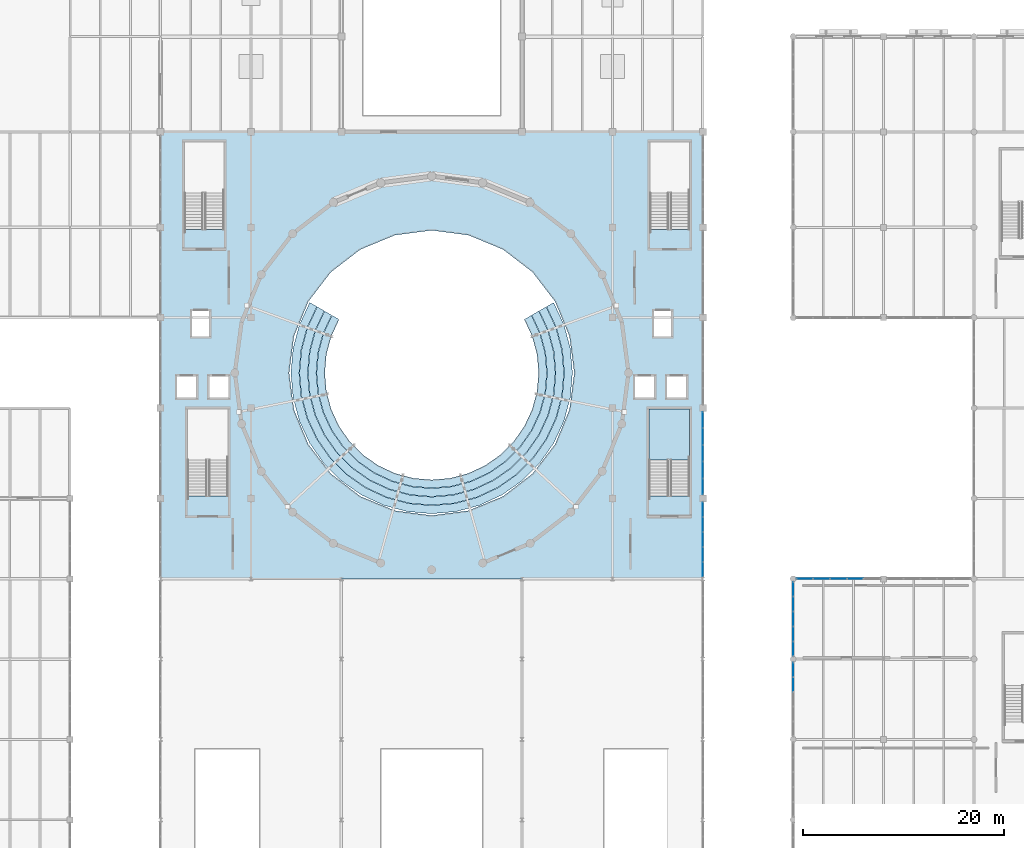
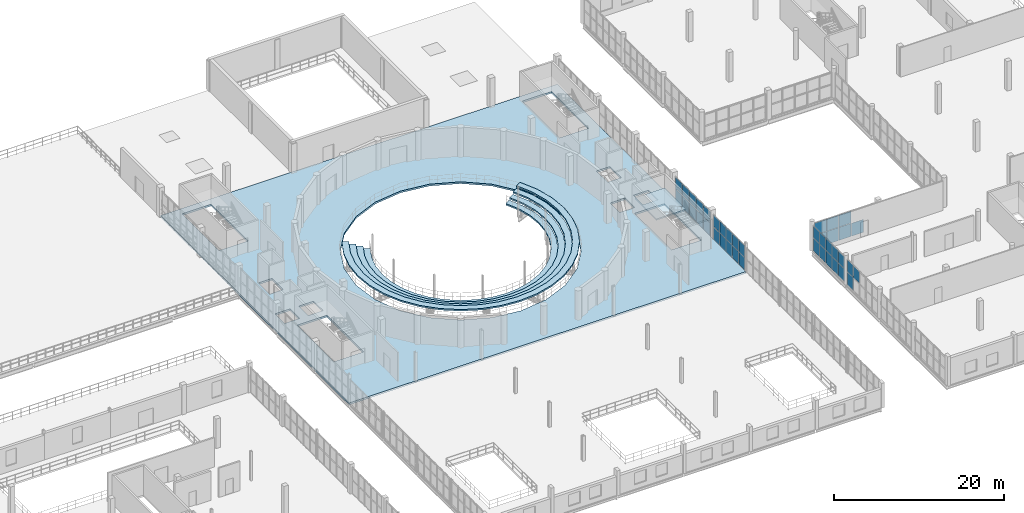
# One storey, part 48 of 73: 40 plates, 6 slabs, 6 elements without a shape of their own.
"""IFC4 building model written with IfcOpenShell, lengths in metres."""

from ifc_helpers import new_model, si_unit, direction, frame, origin, origin_2d, place, context, subcontext, project, spatial, polyline, rectangle, outline, extrude, material, layer, layer_set, type_object, element, aggregate, save


model = new_model("IFC4")

# Units and contexts
model_context = context("Model", 3, precision=1e-05, world=origin(), true_north=direction((0.0, 1.0)))
body_context = subcontext(model_context, "Body", "Model", "MODEL_VIEW")
ifc_project = project(units=[si_unit("LENGTHUNIT", "METRE"), si_unit("AREAUNIT", "SQUARE_METRE"), si_unit("VOLUMEUNIT", "CUBIC_METRE"), si_unit("PLANEANGLEUNIT", "RADIAN"), si_unit("MASSUNIT", "GRAM", prefix="KILO")], contexts=[model_context])

# Site, building, storey
site_placement = place(None, origin())
site = spatial("IfcSite", under=ifc_project, at=site_placement, CompositionType="ELEMENT")
building_placement = place(site_placement, origin())
building = spatial("IfcBuilding", under=site, at=building_placement, Name="Marnock Terrace Opera House", CompositionType="ELEMENT")
storey_placement = place(building_placement, frame((0.0, 0.0, 14.699951171875)))
storey = spatial("IfcBuildingStorey", under=building, at=storey_placement, Name="L03", CompositionType="ELEMENT", Elevation=14.699951171875)

# Curtain wall, plates
ifc_material_1 = material(Name="Anodised architectural bronze aluminium framing", Category="aluminium")
ifc_layer_1 = layer(ifc_material_1, 0.159912109375)
ifc_layer_set_1 = layer_set([ifc_layer_1], Name="Anodised architectural bronze aluminium framing")
curtain_wall_type_1 = type_object("IfcCurtainWallType", Name="CW-FOYER-80x42", PredefinedType="NOTDEFINED", material=ifc_layer_set_1)
curtain_wall_1_placement = place(storey_placement, origin())
curtain_wall_1 = element("IfcCurtainWall", 1, at=curtain_wall_1_placement, inside=storey, type_object=curtain_wall_type_1, Name="L03 glazed Beaux-Arts colonnade curtain wall CW-V1E-L03-05", PredefinedType="NOTDEFINED")
ifc_material_2 = material(Name="Double-glazed acoustic low-E laminated glass", Category="glass")
ifc_layer_2 = layer(ifc_material_2, 0.028076171875)
ifc_layer_set_2 = layer_set([ifc_layer_2], Name="Double-glazed acoustic low-E laminated glass")
plate_type = type_object("IfcPlateType", Name="CWP-GLZ-28", PredefinedType="CURTAIN_PANEL", material=ifc_layer_set_2)
plate_1_placement = place(storey_placement, frame((109.0, 40.934326171875, 0.06005859375), z_axis=(0.0, 0.0, 1.0), x_axis=(0.0, 1.0, 0.0)))
plate_1 = element("IfcPlate", 2, at=plate_1_placement, type_object=plate_type, Name="CW-62 panel 1.1", PredefinedType="CURTAIN_PANEL", context=body_context, shape_type="SweptSolid", body=[
    extrude(rectangle(XDim=1.406494140625, YDim=0.028076171875, at=origin_2d()), origin(), (0.0, 0.0, 1.0), 1.79150390625),
])
plate_2_placement = place(storey_placement, frame((109.0, 40.934326171875, 1.91162109375), z_axis=(0.0, 0.0, 1.0), x_axis=(0.0, 1.0, 0.0)))
plate_2 = element("IfcPlate", 3, at=plate_2_placement, type_object=plate_type, Name="CW-62 panel 1.2", PredefinedType="CURTAIN_PANEL", context=body_context, shape_type="SweptSolid", body=[
    extrude(rectangle(XDim=1.406494140625, YDim=0.028076171875, at=origin_2d()), origin(), (0.0, 0.0, 1.0), 1.646484375),
])
plate_3_placement = place(storey_placement, frame((109.0, 42.416015625, 0.06005859375), z_axis=(0.0, 0.0, 1.0), x_axis=(0.0, 1.0, 0.0)))
plate_3 = element("IfcPlate", 4, at=plate_3_placement, type_object=plate_type, Name="CW-62 panel 2.1", PredefinedType="CURTAIN_PANEL", context=body_context, shape_type="SweptSolid", body=[
    extrude(rectangle(XDim=1.4365234375, YDim=0.028076171875, at=origin_2d()), origin(), (0.0, 0.0, 1.0), 1.79150390625),
])
plate_4_placement = place(storey_placement, frame((109.0, 42.416015625, 1.91162109375), z_axis=(0.0, 0.0, 1.0), x_axis=(0.0, 1.0, 0.0)))
plate_4 = element("IfcPlate", 5, at=plate_4_placement, type_object=plate_type, Name="CW-62 panel 2.2", PredefinedType="CURTAIN_PANEL", context=body_context, shape_type="SweptSolid", body=[
    extrude(rectangle(XDim=1.4365234375, YDim=0.028076171875, at=origin_2d()), origin(), (0.0, 0.0, 1.0), 1.646484375),
])
plate_5_placement = place(storey_placement, frame((109.0, 43.91259765625, 0.06005859375), z_axis=(0.0, 0.0, 1.0), x_axis=(0.0, 1.0, 0.0)))
plate_5 = element("IfcPlate", 6, at=plate_5_placement, type_object=plate_type, Name="CW-62 panel 3.1", PredefinedType="CURTAIN_PANEL", context=body_context, shape_type="SweptSolid", body=[
    extrude(rectangle(XDim=1.4365234375, YDim=0.028076171875, at=origin_2d()), origin(), (0.0, 0.0, 1.0), 1.79150390625),
])
plate_6_placement = place(storey_placement, frame((109.0, 43.91259765625, 1.91162109375), z_axis=(0.0, 0.0, 1.0), x_axis=(0.0, 1.0, 0.0)))
plate_6 = element("IfcPlate", 7, at=plate_6_placement, type_object=plate_type, Name="CW-62 panel 3.2", PredefinedType="CURTAIN_PANEL", context=body_context, shape_type="SweptSolid", body=[
    extrude(rectangle(XDim=1.4365234375, YDim=0.028076171875, at=origin_2d()), origin(), (0.0, 0.0, 1.0), 1.646484375),
])
plate_7_placement = place(storey_placement, frame((109.0, 45.4091796875, 0.06005859375), z_axis=(0.0, 0.0, 1.0), x_axis=(0.0, 1.0, 0.0)))
plate_7 = element("IfcPlate", 8, at=plate_7_placement, type_object=plate_type, Name="CW-62 panel 4.1", PredefinedType="CURTAIN_PANEL", context=body_context, shape_type="SweptSolid", body=[
    extrude(rectangle(XDim=1.4365234375, YDim=0.028076171875, at=origin_2d()), origin(), (0.0, 0.0, 1.0), 1.79150390625),
])
plate_8_placement = place(storey_placement, frame((109.0, 45.4091796875, 1.91162109375), z_axis=(0.0, 0.0, 1.0), x_axis=(0.0, 1.0, 0.0)))
plate_8 = element("IfcPlate", 9, at=plate_8_placement, type_object=plate_type, Name="CW-62 panel 4.2", PredefinedType="CURTAIN_PANEL", context=body_context, shape_type="SweptSolid", body=[
    extrude(rectangle(XDim=1.4365234375, YDim=0.028076171875, at=origin_2d()), origin(), (0.0, 0.0, 1.0), 1.646484375),
])
plate_9_placement = place(storey_placement, frame((109.0, 46.890625, 0.06005859375), z_axis=(0.0, 0.0, 1.0), x_axis=(0.0, 1.0, 0.0)))
plate_9 = element("IfcPlate", 10, at=plate_9_placement, type_object=plate_type, Name="CW-62 panel 5.1", PredefinedType="CURTAIN_PANEL", context=body_context, shape_type="SweptSolid", body=[
    extrude(rectangle(XDim=1.406494140625, YDim=0.028076171875, at=origin_2d()), origin(), (0.0, 0.0, 1.0), 1.79150390625),
])
plate_10_placement = place(storey_placement, frame((109.0, 46.890625, 1.91162109375), z_axis=(0.0, 0.0, 1.0), x_axis=(0.0, 1.0, 0.0)))
plate_10 = element("IfcPlate", 11, at=plate_10_placement, type_object=plate_type, Name="CW-62 panel 5.2", PredefinedType="CURTAIN_PANEL", context=body_context, shape_type="SweptSolid", body=[
    extrude(rectangle(XDim=1.406494140625, YDim=0.028076171875, at=origin_2d()), origin(), (0.0, 0.0, 1.0), 1.646484375),
])
aggregate(curtain_wall_1, [plate_1, plate_2, plate_3, plate_4, plate_5, plate_6, plate_7, plate_8, plate_9, plate_10])

ifc_layer_3 = layer(ifc_material_1, 0.159912109375)
ifc_layer_set_3 = layer_set([ifc_layer_3], Name="Anodised architectural bronze aluminium framing")
curtain_wall_type_2 = type_object("IfcCurtainWallType", Name="CW-FOYER-90x42", PredefinedType="NOTDEFINED", material=ifc_layer_set_3)
curtain_wall_2_placement = place(storey_placement, origin())
curtain_wall_2 = element("IfcCurtainWall", 12, at=curtain_wall_2_placement, inside=storey, type_object=curtain_wall_type_2, Name="L03 glazed Beaux-Arts colonnade curtain wall CW-V1E-L03-06", PredefinedType="NOTDEFINED")
plate_11_placement = place(storey_placement, frame((109.0, 49.19189453125, 0.06005859375), z_axis=(0.0, 0.0, 1.0), x_axis=(0.0, 1.0, 0.0)))
plate_11 = element("IfcPlate", 13, at=plate_11_placement, type_object=plate_type, Name="CW-68 panel 1.1", PredefinedType="CURTAIN_PANEL", context=body_context, shape_type="SweptSolid", body=[
    extrude(rectangle(XDim=1.571533203125, YDim=0.028076171875, at=origin_2d()), origin(), (0.0, 0.0, 1.0), 1.79150390625),
])
plate_12_placement = place(storey_placement, frame((109.0, 49.19189453125, 1.91162109375), z_axis=(0.0, 0.0, 1.0), x_axis=(0.0, 1.0, 0.0)))
plate_12 = element("IfcPlate", 14, at=plate_12_placement, type_object=plate_type, Name="CW-68 panel 1.2", PredefinedType="CURTAIN_PANEL", context=body_context, shape_type="SweptSolid", body=[
    extrude(rectangle(XDim=1.571533203125, YDim=0.028076171875, at=origin_2d()), origin(), (0.0, 0.0, 1.0), 1.646484375),
])
plate_13_placement = place(storey_placement, frame((109.0, 50.83837890625, 0.06005859375), z_axis=(0.0, 0.0, 1.0), x_axis=(0.0, 1.0, 0.0)))
plate_13 = element("IfcPlate", 15, at=plate_13_placement, type_object=plate_type, Name="CW-68 panel 2.1", PredefinedType="CURTAIN_PANEL", context=body_context, shape_type="SweptSolid", body=[
    extrude(rectangle(XDim=1.6015625, YDim=0.028076171875, at=origin_2d()), origin(), (0.0, 0.0, 1.0), 1.79150390625),
])
plate_14_placement = place(storey_placement, frame((109.0, 50.83837890625, 1.91162109375), z_axis=(0.0, 0.0, 1.0), x_axis=(0.0, 1.0, 0.0)))
plate_14 = element("IfcPlate", 16, at=plate_14_placement, type_object=plate_type, Name="CW-68 panel 2.2", PredefinedType="CURTAIN_PANEL", context=body_context, shape_type="SweptSolid", body=[
    extrude(rectangle(XDim=1.6015625, YDim=0.028076171875, at=origin_2d()), origin(), (0.0, 0.0, 1.0), 1.646484375),
])
plate_15_placement = place(storey_placement, frame((109.0, 52.5, 0.06005859375), z_axis=(0.0, 0.0, 1.0), x_axis=(0.0, 1.0, 0.0)))
plate_15 = element("IfcPlate", 17, at=plate_15_placement, type_object=plate_type, Name="CW-68 panel 3.1", PredefinedType="CURTAIN_PANEL", context=body_context, shape_type="SweptSolid", body=[
    extrude(rectangle(XDim=1.6015625, YDim=0.028076171875, at=origin_2d()), origin(), (0.0, 0.0, 1.0), 1.79150390625),
])
plate_16_placement = place(storey_placement, frame((109.0, 52.5, 1.91162109375), z_axis=(0.0, 0.0, 1.0), x_axis=(0.0, 1.0, 0.0)))
plate_16 = element("IfcPlate", 18, at=plate_16_placement, type_object=plate_type, Name="CW-68 panel 3.2", PredefinedType="CURTAIN_PANEL", context=body_context, shape_type="SweptSolid", body=[
    extrude(rectangle(XDim=1.6015625, YDim=0.028076171875, at=origin_2d()), origin(), (0.0, 0.0, 1.0), 1.646484375),
])
plate_17_placement = place(storey_placement, frame((109.0, 54.16162109375, 0.06005859375), z_axis=(0.0, 0.0, 1.0), x_axis=(0.0, 1.0, 0.0)))
plate_17 = element("IfcPlate", 19, at=plate_17_placement, type_object=plate_type, Name="CW-68 panel 4.1", PredefinedType="CURTAIN_PANEL", context=body_context, shape_type="SweptSolid", body=[
    extrude(rectangle(XDim=1.6015625, YDim=0.028076171875, at=origin_2d()), origin(), (0.0, 0.0, 1.0), 1.79150390625),
])
plate_18_placement = place(storey_placement, frame((109.0, 54.16162109375, 1.91162109375), z_axis=(0.0, 0.0, 1.0), x_axis=(0.0, 1.0, 0.0)))
plate_18 = element("IfcPlate", 20, at=plate_18_placement, type_object=plate_type, Name="CW-68 panel 4.2", PredefinedType="CURTAIN_PANEL", context=body_context, shape_type="SweptSolid", body=[
    extrude(rectangle(XDim=1.6015625, YDim=0.028076171875, at=origin_2d()), origin(), (0.0, 0.0, 1.0), 1.646484375),
])
plate_19_placement = place(storey_placement, frame((109.0, 55.80810546875, 0.06005859375), z_axis=(0.0, 0.0, 1.0), x_axis=(0.0, 1.0, 0.0)))
plate_19 = element("IfcPlate", 21, at=plate_19_placement, type_object=plate_type, Name="CW-68 panel 5.1", PredefinedType="CURTAIN_PANEL", context=body_context, shape_type="SweptSolid", body=[
    extrude(rectangle(XDim=1.571533203125, YDim=0.028076171875, at=origin_2d()), origin(), (0.0, 0.0, 1.0), 1.79150390625),
])
plate_20_placement = place(storey_placement, frame((109.0, 55.80810546875, 1.91162109375), z_axis=(0.0, 0.0, 1.0), x_axis=(0.0, 1.0, 0.0)))
plate_20 = element("IfcPlate", 22, at=plate_20_placement, type_object=plate_type, Name="CW-68 panel 5.2", PredefinedType="CURTAIN_PANEL", context=body_context, shape_type="SweptSolid", body=[
    extrude(rectangle(XDim=1.571533203125, YDim=0.028076171875, at=origin_2d()), origin(), (0.0, 0.0, 1.0), 1.646484375),
])
aggregate(curtain_wall_2, [plate_11, plate_12, plate_13, plate_14, plate_15, plate_16, plate_17, plate_18, plate_19, plate_20])

ifc_layer_4 = layer(ifc_material_1, 0.159912109375)
ifc_layer_set_4 = layer_set([ifc_layer_4], Name="Anodised architectural bronze aluminium framing")
curtain_wall_type_3 = type_object("IfcCurtainWallType", Name="CW-LOGGIA-86x42", PredefinedType="NOTDEFINED", material=ifc_layer_set_4)
curtain_wall_3_placement = place(storey_placement, origin())
curtain_wall_3 = element("IfcCurtainWall", 23, at=curtain_wall_3_placement, inside=storey, type_object=curtain_wall_type_3, Name="L03 glazed Beaux-Arts colonnade curtain wall CW-V5-L03-W3", PredefinedType="NOTDEFINED")
plate_21_placement = place(storey_placement, frame((118.0, 29.481689453125, 1.949951171875), z_axis=(0.0, 0.0, 1.0), x_axis=(0.0, 1.0, 0.0)))
plate_21 = element("IfcPlate", 24, at=plate_21_placement, type_object=plate_type, Name="CW-66 panel 4.2", PredefinedType="CURTAIN_PANEL", context=body_context, shape_type="SweptSolid", body=[
    extrude(rectangle(XDim=1.421630859375, YDim=0.028076171875, at=origin_2d()), origin(), (0.0, 0.0, 1.0), 1.68212890625),
])
plate_22_placement = place(storey_placement, frame((118.0, 30.9482421875, 0.06005859375), z_axis=(0.0, 0.0, 1.0), x_axis=(0.0, 1.0, 0.0)))
plate_22 = element("IfcPlate", 25, at=plate_22_placement, type_object=plate_type, Name="CW-66 panel 5.1", PredefinedType="CURTAIN_PANEL", context=body_context, shape_type="SweptSolid", body=[
    extrude(rectangle(XDim=1.3916015625, YDim=0.028076171875, at=origin_2d()), origin(), (0.0, 0.0, 1.0), 1.829833984375),
])
plate_23_placement = place(storey_placement, frame((118.0, 30.9482421875, 1.949951171875), z_axis=(0.0, 0.0, 1.0), x_axis=(0.0, 1.0, 0.0)))
plate_23 = element("IfcPlate", 26, at=plate_23_placement, type_object=plate_type, Name="CW-66 panel 5.2", PredefinedType="CURTAIN_PANEL", context=body_context, shape_type="SweptSolid", body=[
    extrude(rectangle(XDim=1.3916015625, YDim=0.028076171875, at=origin_2d()), origin(), (0.0, 0.0, 1.0), 1.68212890625),
])
aggregate(curtain_wall_3, [plate_21, plate_22, plate_23])

curtain_wall_4_placement = place(storey_placement, origin())
curtain_wall_4 = element("IfcCurtainWall", 27, at=curtain_wall_4_placement, inside=storey, type_object=curtain_wall_type_3, Name="L03 glazed Beaux-Arts colonnade curtain wall CW-V5-L03-W4", PredefinedType="NOTDEFINED")
plate_24_placement = place(storey_placement, frame((118.0, 33.0517578125, 0.06005859375), z_axis=(0.0, 0.0, 1.0), x_axis=(0.0, 1.0, 0.0)))
plate_24 = element("IfcPlate", 28, at=plate_24_placement, type_object=plate_type, Name="CW-66 panel 1.1", PredefinedType="CURTAIN_PANEL", context=body_context, shape_type="SweptSolid", body=[
    extrude(rectangle(XDim=1.3916015625, YDim=0.028076171875, at=origin_2d()), origin(), (0.0, 0.0, 1.0), 1.829833984375),
])
plate_25_placement = place(storey_placement, frame((118.0, 33.0517578125, 1.949951171875), z_axis=(0.0, 0.0, 1.0), x_axis=(0.0, 1.0, 0.0)))
plate_25 = element("IfcPlate", 29, at=plate_25_placement, type_object=plate_type, Name="CW-66 panel 1.2", PredefinedType="CURTAIN_PANEL", context=body_context, shape_type="SweptSolid", body=[
    extrude(rectangle(XDim=1.3916015625, YDim=0.028076171875, at=origin_2d()), origin(), (0.0, 0.0, 1.0), 1.68212890625),
])
plate_26_placement = place(storey_placement, frame((118.0, 34.518310546875, 0.06005859375), z_axis=(0.0, 0.0, 1.0), x_axis=(0.0, 1.0, 0.0)))
plate_26 = element("IfcPlate", 30, at=plate_26_placement, type_object=plate_type, Name="CW-66 panel 2.1", PredefinedType="CURTAIN_PANEL", context=body_context, shape_type="SweptSolid", body=[
    extrude(rectangle(XDim=1.421630859375, YDim=0.028076171875, at=origin_2d()), origin(), (0.0, 0.0, 1.0), 1.829833984375),
])
plate_27_placement = place(storey_placement, frame((118.0, 34.518310546875, 1.949951171875), z_axis=(0.0, 0.0, 1.0), x_axis=(0.0, 1.0, 0.0)))
plate_27 = element("IfcPlate", 31, at=plate_27_placement, type_object=plate_type, Name="CW-66 panel 2.2", PredefinedType="CURTAIN_PANEL", context=body_context, shape_type="SweptSolid", body=[
    extrude(rectangle(XDim=1.421630859375, YDim=0.028076171875, at=origin_2d()), origin(), (0.0, 0.0, 1.0), 1.68212890625),
])
plate_28_placement = place(storey_placement, frame((118.0, 36.0, 0.06005859375), z_axis=(0.0, 0.0, 1.0), x_axis=(0.0, 1.0, 0.0)))
plate_28 = element("IfcPlate", 32, at=plate_28_placement, type_object=plate_type, Name="CW-66 panel 3.1", PredefinedType="CURTAIN_PANEL", context=body_context, shape_type="SweptSolid", body=[
    extrude(rectangle(XDim=1.421630859375, YDim=0.028076171875, at=origin_2d()), origin(), (0.0, 0.0, 1.0), 1.829833984375),
])
plate_29_placement = place(storey_placement, frame((118.0, 36.0, 1.949951171875), z_axis=(0.0, 0.0, 1.0), x_axis=(0.0, 1.0, 0.0)))
plate_29 = element("IfcPlate", 33, at=plate_29_placement, type_object=plate_type, Name="CW-66 panel 3.2", PredefinedType="CURTAIN_PANEL", context=body_context, shape_type="SweptSolid", body=[
    extrude(rectangle(XDim=1.421630859375, YDim=0.028076171875, at=origin_2d()), origin(), (0.0, 0.0, 1.0), 1.68212890625),
])
plate_30_placement = place(storey_placement, frame((118.0, 37.481689453125, 0.06005859375), z_axis=(0.0, 0.0, 1.0), x_axis=(0.0, 1.0, 0.0)))
plate_30 = element("IfcPlate", 34, at=plate_30_placement, type_object=plate_type, Name="CW-66 panel 4.1", PredefinedType="CURTAIN_PANEL", context=body_context, shape_type="SweptSolid", body=[
    extrude(rectangle(XDim=1.421630859375, YDim=0.028076171875, at=origin_2d()), origin(), (0.0, 0.0, 1.0), 1.829833984375),
])
plate_31_placement = place(storey_placement, frame((118.0, 37.481689453125, 1.949951171875), z_axis=(0.0, 0.0, 1.0), x_axis=(0.0, 1.0, 0.0)))
plate_31 = element("IfcPlate", 35, at=plate_31_placement, type_object=plate_type, Name="CW-66 panel 4.2", PredefinedType="CURTAIN_PANEL", context=body_context, shape_type="SweptSolid", body=[
    extrude(rectangle(XDim=1.421630859375, YDim=0.028076171875, at=origin_2d()), origin(), (0.0, 0.0, 1.0), 1.68212890625),
])
plate_32_placement = place(storey_placement, frame((118.0, 38.9482421875, 0.06005859375), z_axis=(0.0, 0.0, 1.0), x_axis=(0.0, 1.0, 0.0)))
plate_32 = element("IfcPlate", 36, at=plate_32_placement, type_object=plate_type, Name="CW-66 panel 5.1", PredefinedType="CURTAIN_PANEL", context=body_context, shape_type="SweptSolid", body=[
    extrude(rectangle(XDim=1.3916015625, YDim=0.028076171875, at=origin_2d()), origin(), (0.0, 0.0, 1.0), 1.829833984375),
])
plate_33_placement = place(storey_placement, frame((118.0, 38.9482421875, 1.949951171875), z_axis=(0.0, 0.0, 1.0), x_axis=(0.0, 1.0, 0.0)))
plate_33 = element("IfcPlate", 37, at=plate_33_placement, type_object=plate_type, Name="CW-66 panel 5.2", PredefinedType="CURTAIN_PANEL", context=body_context, shape_type="SweptSolid", body=[
    extrude(rectangle(XDim=1.3916015625, YDim=0.028076171875, at=origin_2d()), origin(), (0.0, 0.0, 1.0), 1.68212890625),
])
aggregate(curtain_wall_4, [plate_24, plate_25, plate_26, plate_27, plate_28, plate_29, plate_30, plate_31, plate_32, plate_33])

curtain_wall_5_placement = place(storey_placement, origin())
curtain_wall_5 = element("IfcCurtainWall", 38, at=curtain_wall_5_placement, inside=storey, type_object=curtain_wall_type_3, Name="L03 glazed Beaux-Arts colonnade curtain wall CW-V5-L03-CS1", PredefinedType="NOTDEFINED")
plate_34_placement = place(storey_placement, frame((119.15185546875, 40.0, 0.06005859375), z_axis=(0.0, 0.0, 1.0), x_axis=(1.0, 0.0, 0.0)))
plate_34 = element("IfcPlate", 39, at=plate_34_placement, type_object=plate_type, Name="CW-66 panel 1.1", PredefinedType="CURTAIN_PANEL", context=body_context, shape_type="SweptSolid", body=[
    extrude(rectangle(XDim=1.591552734375, YDim=0.028076171875, at=origin_2d()), origin(), (0.0, 0.0, 1.0), 1.864990234375),
])
plate_35_placement = place(storey_placement, frame((119.15185546875, 40.0, 1.98486328125), z_axis=(0.0, 0.0, 1.0), x_axis=(1.0, 0.0, 0.0)))
plate_35 = element("IfcPlate", 40, at=plate_35_placement, type_object=plate_type, Name="CW-66 panel 1.2", PredefinedType="CURTAIN_PANEL", context=body_context, shape_type="SweptSolid", body=[
    extrude(rectangle(XDim=1.591552734375, YDim=0.028076171875, at=origin_2d()), origin(), (0.0, 0.0, 1.0), 1.714599609375),
])
plate_36_placement = place(storey_placement, frame((120.818359375, 40.0, 0.06005859375), z_axis=(0.0, 0.0, 1.0), x_axis=(1.0, 0.0, 0.0)))
plate_36 = element("IfcPlate", 41, at=plate_36_placement, type_object=plate_type, Name="CW-66 panel 2.1", PredefinedType="CURTAIN_PANEL", context=body_context, shape_type="SweptSolid", body=[
    extrude(rectangle(XDim=1.62158203125, YDim=0.028076171875, at=origin_2d()), origin(), (0.0, 0.0, 1.0), 1.864990234375),
])
plate_37_placement = place(storey_placement, frame((120.818359375, 40.0, 1.98486328125), z_axis=(0.0, 0.0, 1.0), x_axis=(1.0, 0.0, 0.0)))
plate_37 = element("IfcPlate", 42, at=plate_37_placement, type_object=plate_type, Name="CW-66 panel 2.2", PredefinedType="CURTAIN_PANEL", context=body_context, shape_type="SweptSolid", body=[
    extrude(rectangle(XDim=1.62158203125, YDim=0.028076171875, at=origin_2d()), origin(), (0.0, 0.0, 1.0), 1.714599609375),
])
plate_38_placement = place(storey_placement, frame((122.5, 40.0, 0.06005859375), z_axis=(0.0, 0.0, 1.0), x_axis=(1.0, 0.0, 0.0)))
plate_38 = element("IfcPlate", 43, at=plate_38_placement, type_object=plate_type, Name="CW-66 panel 3.1", PredefinedType="CURTAIN_PANEL", context=body_context, shape_type="SweptSolid", body=[
    extrude(rectangle(XDim=1.62158203125, YDim=0.028076171875, at=origin_2d()), origin(), (0.0, 0.0, 1.0), 1.864990234375),
])
plate_39_placement = place(storey_placement, frame((122.5, 40.0, 1.98486328125), z_axis=(0.0, 0.0, 1.0), x_axis=(1.0, 0.0, 0.0)))
plate_39 = element("IfcPlate", 44, at=plate_39_placement, type_object=plate_type, Name="CW-66 panel 3.2", PredefinedType="CURTAIN_PANEL", context=body_context, shape_type="SweptSolid", body=[
    extrude(rectangle(XDim=1.62158203125, YDim=0.028076171875, at=origin_2d()), origin(), (0.0, 0.0, 1.0), 1.714599609375),
])
plate_40_placement = place(storey_placement, frame((124.181640625, 40.0, 0.06005859375), z_axis=(0.0, 0.0, 1.0), x_axis=(1.0, 0.0, 0.0)))
plate_40 = element("IfcPlate", 45, at=plate_40_placement, type_object=plate_type, Name="CW-66 panel 4.1", PredefinedType="CURTAIN_PANEL", context=body_context, shape_type="SweptSolid", body=[
    extrude(rectangle(XDim=1.62158203125, YDim=0.028076171875, at=origin_2d()), origin(), (0.0, 0.0, 1.0), 1.864990234375),
])
aggregate(curtain_wall_5, [plate_34, plate_35, plate_36, plate_37, plate_38, plate_39, plate_40])

# Slab
ifc_material_3 = material(Name="Concrete N40 (f'c = 40 MPa)", Category="concrete")
ifc_layer_5 = layer(ifc_material_3, 0.260009765625)
ifc_layer_set_5 = layer_set([ifc_layer_5], Name="Concrete N40 (f'c = 40 MPa)")
slab_type_1 = type_object("IfcSlabType", Name="SL-FLR-260", PredefinedType="FLOOR", material=ifc_layer_set_5)
slab_1_placement = place(storey_placement, frame((0.0, 0.0, -0.260009765625)))
element("IfcSlab", 46, at=slab_1_placement, inside=storey, type_object=slab_type_1, Name="L03 Auditorium promenade structural floor slab", PredefinedType="FLOOR", context=body_context, shape_type="SweptSolid", body=[
    extrude(outline(polyline([(55.0, 40.0), (109.0, 40.0), (109.0, 84.5), (55.0, 84.5), (55.0, 40.0)]), holes=[polyline([(61.719970703125, 48.239990234375), (61.719970703125, 56.919921875), (57.679931640625, 56.919921875), (57.679931640625, 48.239990234375), (61.719970703125, 48.239990234375)]), polyline([(56.580078125, 57.97998046875), (58.6201171875, 57.97998046875), (58.6201171875, 60.219970703125), (56.580078125, 60.219970703125), (56.580078125, 57.97998046875)]), polyline([(59.780029296875, 57.97998046875), (61.820068359375, 57.97998046875), (61.820068359375, 60.219970703125), (59.780029296875, 60.219970703125), (59.780029296875, 57.97998046875)]), polyline([(107.679931640625, 48.239990234375), (107.679931640625, 56.919921875), (103.639892578125, 56.919921875), (103.639892578125, 48.239990234375), (107.679931640625, 48.239990234375)]), polyline([(102.179931640625, 57.97998046875), (104.219970703125, 57.97998046875), (104.219970703125, 60.219970703125), (102.179931640625, 60.219970703125), (102.179931640625, 57.97998046875)]), polyline([(105.3798828125, 57.97998046875), (107.419921875, 57.97998046875), (107.419921875, 60.219970703125), (105.3798828125, 60.219970703125), (105.3798828125, 57.97998046875)]), polyline([(61.320068359375, 74.800048828125), (61.320068359375, 83.52001953125), (57.360107421875, 83.52001953125), (57.360107421875, 74.800048828125), (61.320068359375, 74.800048828125)]), polyline([(58.080078125, 64.080078125), (59.919921875, 64.080078125), (59.919921875, 66.719970703125), (58.080078125, 66.719970703125), (58.080078125, 64.080078125)]), polyline([(107.679931640625, 74.800048828125), (107.679931640625, 83.52001953125), (103.719970703125, 83.52001953125), (103.719970703125, 74.800048828125), (107.679931640625, 74.800048828125)]), polyline([(104.080078125, 64.080078125), (105.919921875, 64.080078125), (105.919921875, 66.719970703125), (104.080078125, 66.719970703125), (104.080078125, 64.080078125)]), polyline([(96.199951171875, 60.5), (95.716064453125, 64.175048828125), (94.298095703125, 67.60009765625), (92.041015625, 70.541015625), (89.10009765625, 72.798095703125), (85.675048828125, 74.216064453125), (82.0, 74.699951171875), (78.324951171875, 74.216064453125), (74.89990234375, 72.798095703125), (71.958984375, 70.541015625), (69.701904296875, 67.60009765625), (68.283935546875, 64.175048828125), (67.800048828125, 60.5), (68.283935546875, 56.824951171875), (69.701904296875, 53.39990234375), (71.958984375, 50.458984375), (74.89990234375, 48.201904296875), (78.324951171875, 46.783935546875), (82.0, 46.300048828125), (85.675048828125, 46.783935546875), (89.10009765625, 48.201904296875), (92.041015625, 50.458984375), (94.298095703125, 53.39990234375), (95.716064453125, 56.824951171875), (96.199951171875, 60.5)])]), origin(), (0.0, 0.0, 1.0), 0.260009765625),
])

# Stair, slab
stair_type = type_object("IfcStairType", Name="ST-TYPE-2600", PredefinedType="HALF_TURN_STAIR", material=ifc_material_3)
stair_placement = place(storey_placement, origin())
stair = element("IfcStair", 47, at=stair_placement, inside=storey, type_object=stair_type, Name="L03 ST-02", PredefinedType="HALF_TURN_STAIR")
ifc_material_4 = material(Name="Concrete N32 (f'c = 32 MPa)", Category="concrete")
ifc_layer_6 = layer(ifc_material_4, 0.199951171875)
ifc_layer_set_6 = layer_set([ifc_layer_6], Name="Concrete N32 (f'c = 32 MPa)")
slab_type_2 = type_object("IfcSlabType", Name="SL-LAND-200", PredefinedType="LANDING", material=ifc_layer_set_6)
slab_2_placement = place(storey_placement, frame((0.0, 0.0, 2.050048828125)))
slab_2 = element("IfcSlab", 48, at=slab_2_placement, type_object=slab_type_2, Name="ST-02 landing 1", PredefinedType="LANDING", context=body_context, shape_type="SweptSolid", body=[
    extrude(outline(polyline([(107.679931640625, 51.840087890625), (107.679931640625, 56.919921875), (103.639892578125, 56.919921875), (103.639892578125, 51.840087890625), (107.679931640625, 51.840087890625)])), origin(), (0.0, 0.0, 1.0), 0.199951171875),
])
aggregate(stair, [slab_2])

# Slabs
ifc_layer_7 = layer(ifc_material_3, 0.219970703125)
ifc_layer_set_7 = layer_set([ifc_layer_7], Name="Concrete N40 (f'c = 40 MPa)")
slab_type_3 = type_object("IfcSlabType", Name="SL-TIER-220", PredefinedType="USERDEFINED", material=ifc_layer_set_7)
slab_3_placement = place(storey_placement, frame((0.0, 0.0, 0.130126953125)))
element("IfcSlab", 49, at=slab_3_placement, inside=storey, type_object=slab_type_3, Name="L03 Main Auditorium horseshoe seating tier 1", ObjectType="SEATING TIER", PredefinedType="USERDEFINED", context=body_context, shape_type="SweptSolid", body=[
    extrude(outline(polyline([(72.066650390625, 66.235107421875), (71.2216796875, 64.423095703125), (70.704345703125, 62.49169921875), (70.530029296875, 60.5), (70.704345703125, 58.50830078125), (71.2216796875, 56.576904296875), (72.066650390625, 54.764892578125), (73.21337890625, 53.127197265625), (74.627197265625, 51.71337890625), (76.264892578125, 50.566650390625), (78.076904296875, 49.7216796875), (80.00830078125, 49.204345703125), (82.0, 49.030029296875), (83.99169921875, 49.204345703125), (85.923095703125, 49.7216796875), (87.735107421875, 50.566650390625), (89.372802734375, 51.71337890625), (90.78662109375, 53.127197265625), (91.933349609375, 54.764892578125), (92.7783203125, 56.576904296875), (93.295654296875, 58.50830078125), (93.469970703125, 60.5), (93.295654296875, 62.49169921875), (92.7783203125, 64.423095703125), (91.933349609375, 66.235107421875), (91.22314453125, 65.824951171875), (92.0078125, 64.142578125), (92.48828125, 62.349365234375), (92.64990234375, 60.5), (92.48828125, 58.650634765625), (92.0078125, 56.857421875), (91.22314453125, 55.175048828125), (90.158447265625, 53.654296875), (88.845703125, 52.341552734375), (87.324951171875, 51.27685546875), (85.642578125, 50.4921875), (83.849365234375, 50.01171875), (82.0, 49.85009765625), (80.150634765625, 50.01171875), (78.357421875, 50.4921875), (76.675048828125, 51.27685546875), (75.154296875, 52.341552734375), (73.841552734375, 53.654296875), (72.77685546875, 55.175048828125), (71.9921875, 56.857421875), (71.51171875, 58.650634765625), (71.35009765625, 60.5), (71.51171875, 62.349365234375), (71.9921875, 64.142578125), (72.77685546875, 65.824951171875), (72.066650390625, 66.235107421875)])), origin(), (0.0, 0.0, 1.0), 0.219970703125),
])
slab_4_placement = place(storey_placement, frame((0.0, 0.0, 0.469970703125)))
element("IfcSlab", 50, at=slab_4_placement, inside=storey, type_object=slab_type_3, Name="L03 Main Auditorium horseshoe seating tier 2", ObjectType="SEATING TIER", PredefinedType="USERDEFINED", context=body_context, shape_type="SweptSolid", body=[
    extrude(outline(polyline([(71.33056640625, 66.659912109375), (70.423095703125, 64.713623046875), (69.8671875, 62.639404296875), (69.679931640625, 60.5), (69.8671875, 58.360595703125), (70.423095703125, 56.286376953125), (71.33056640625, 54.340087890625), (72.562255859375, 52.580810546875), (74.080810546875, 51.062255859375), (75.840087890625, 49.83056640625), (77.786376953125, 48.923095703125), (79.860595703125, 48.3671875), (82.0, 48.179931640625), (84.139404296875, 48.3671875), (86.213623046875, 48.923095703125), (88.159912109375, 49.83056640625), (89.919189453125, 51.062255859375), (91.437744140625, 52.580810546875), (92.66943359375, 54.340087890625), (93.576904296875, 56.286376953125), (94.1328125, 58.360595703125), (94.320068359375, 60.5), (94.1328125, 62.639404296875), (93.576904296875, 64.713623046875), (92.66943359375, 66.659912109375), (91.959228515625, 66.25), (92.806396484375, 64.43310546875), (93.3251953125, 62.4970703125), (93.5, 60.5), (93.3251953125, 58.5029296875), (92.806396484375, 56.56689453125), (91.959228515625, 54.75), (90.8095703125, 53.10791015625), (89.39208984375, 51.6904296875), (87.75, 50.540771484375), (85.93310546875, 49.693603515625), (83.9970703125, 49.1748046875), (82.0, 49.0), (80.0029296875, 49.1748046875), (78.06689453125, 49.693603515625), (76.25, 50.540771484375), (74.60791015625, 51.6904296875), (73.1904296875, 53.10791015625), (72.040771484375, 54.75), (71.193603515625, 56.56689453125), (70.6748046875, 58.5029296875), (70.5, 60.5), (70.6748046875, 62.4970703125), (71.193603515625, 64.43310546875), (72.040771484375, 66.25), (71.33056640625, 66.659912109375)])), origin(), (0.0, 0.0, 1.0), 0.219970703125),
])
slab_5_placement = place(storey_placement, frame((0.0, 0.0, 0.81005859375)))
element("IfcSlab", 51, at=slab_5_placement, inside=storey, type_object=slab_type_3, Name="L03 Main Auditorium horseshoe seating tier 3", ObjectType="SEATING TIER", PredefinedType="USERDEFINED", context=body_context, shape_type="SweptSolid", body=[
    extrude(outline(polyline([(70.594482421875, 67.0849609375), (69.624267578125, 65.00439453125), (69.030029296875, 62.786865234375), (68.830078125, 60.5), (69.030029296875, 58.213134765625), (69.624267578125, 55.99560546875), (70.594482421875, 53.9150390625), (71.9111328125, 52.034423828125), (73.534423828125, 50.4111328125), (75.4150390625, 49.094482421875), (77.49560546875, 48.124267578125), (79.713134765625, 47.530029296875), (82.0, 47.330078125), (84.286865234375, 47.530029296875), (86.50439453125, 48.124267578125), (88.5849609375, 49.094482421875), (90.465576171875, 50.4111328125), (92.0888671875, 52.034423828125), (93.405517578125, 53.9150390625), (94.375732421875, 55.99560546875), (94.969970703125, 58.213134765625), (95.169921875, 60.5), (94.969970703125, 62.786865234375), (94.375732421875, 65.00439453125), (93.405517578125, 67.0849609375), (92.6953125, 66.675048828125), (93.605224609375, 64.723876953125), (94.162353515625, 62.64453125), (94.35009765625, 60.5), (94.162353515625, 58.35546875), (93.605224609375, 56.276123046875), (92.6953125, 54.324951171875), (91.460693359375, 52.5615234375), (89.9384765625, 51.039306640625), (88.175048828125, 49.8046875), (86.223876953125, 48.894775390625), (84.14453125, 48.337646484375), (82.0, 48.14990234375), (79.85546875, 48.337646484375), (77.776123046875, 48.894775390625), (75.824951171875, 49.8046875), (74.0615234375, 51.039306640625), (72.539306640625, 52.5615234375), (71.3046875, 54.324951171875), (70.394775390625, 56.276123046875), (69.837646484375, 58.35546875), (69.64990234375, 60.5), (69.837646484375, 62.64453125), (70.394775390625, 64.723876953125), (71.3046875, 66.675048828125), (70.594482421875, 67.0849609375)])), origin(), (0.0, 0.0, 1.0), 0.219970703125),
])
slab_6_placement = place(storey_placement, frame((0.0, 0.0, 1.150146484375)))
element("IfcSlab", 52, at=slab_6_placement, inside=storey, type_object=slab_type_3, Name="L03 Main Auditorium horseshoe seating tier 4", ObjectType="SEATING TIER", PredefinedType="USERDEFINED", context=body_context, shape_type="SweptSolid", body=[
    extrude(outline(polyline([(69.8583984375, 67.510009765625), (68.825439453125, 65.295166015625), (68.193115234375, 62.9345703125), (67.97998046875, 60.5), (68.193115234375, 58.0654296875), (68.825439453125, 55.704833984375), (69.8583984375, 53.489990234375), (71.260009765625, 51.488037109375), (72.988037109375, 49.760009765625), (74.989990234375, 48.3583984375), (77.204833984375, 47.325439453125), (79.5654296875, 46.693115234375), (82.0, 46.47998046875), (84.4345703125, 46.693115234375), (86.795166015625, 47.325439453125), (89.010009765625, 48.3583984375), (91.011962890625, 49.760009765625), (92.739990234375, 51.488037109375), (94.1416015625, 53.489990234375), (95.174560546875, 55.704833984375), (95.806884765625, 58.0654296875), (96.02001953125, 60.5), (95.806884765625, 62.9345703125), (95.174560546875, 65.295166015625), (94.1416015625, 67.510009765625), (93.431396484375, 67.10009765625), (94.40380859375, 65.0146484375), (94.99951171875, 62.792236328125), (95.199951171875, 60.5), (94.99951171875, 58.207763671875), (94.40380859375, 55.9853515625), (93.431396484375, 53.89990234375), (92.11181640625, 52.01513671875), (90.48486328125, 50.38818359375), (88.60009765625, 49.068603515625), (86.5146484375, 48.09619140625), (84.292236328125, 47.50048828125), (82.0, 47.300048828125), (79.707763671875, 47.50048828125), (77.4853515625, 48.09619140625), (75.39990234375, 49.068603515625), (73.51513671875, 50.38818359375), (71.88818359375, 52.01513671875), (70.568603515625, 53.89990234375), (69.59619140625, 55.9853515625), (69.00048828125, 58.207763671875), (68.800048828125, 60.5), (69.00048828125, 62.792236328125), (69.59619140625, 65.0146484375), (70.568603515625, 67.10009765625), (69.8583984375, 67.510009765625)])), origin(), (0.0, 0.0, 1.0), 0.219970703125),
])

save(model, "model.ifc")
